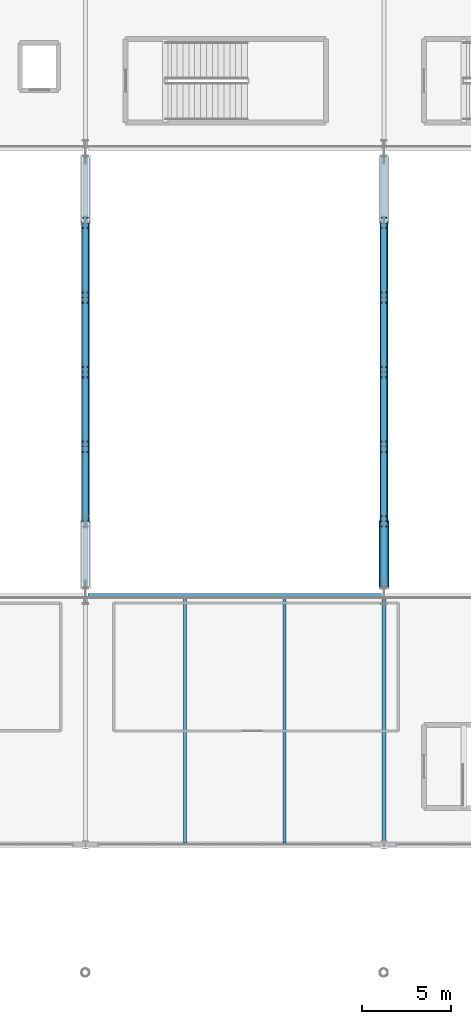
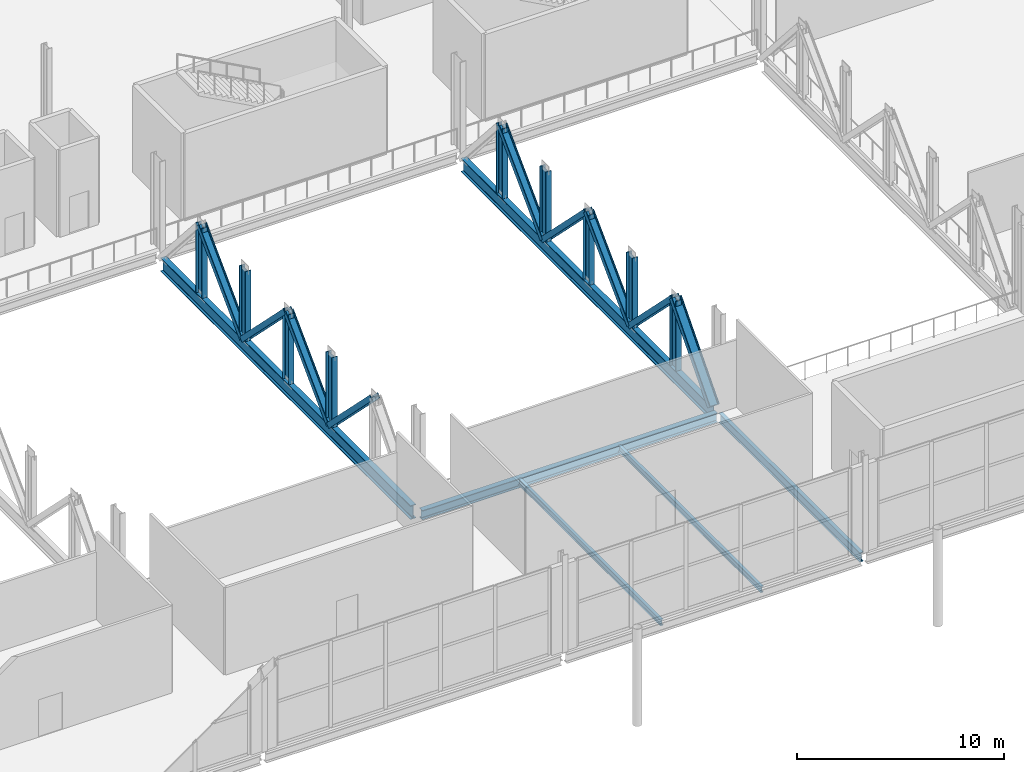
# One storey, part 25 of 84: 18 members, 6 beams.
"""IFC4 building model written with IfcOpenShell, lengths in metres."""

from ifc_helpers import new_model, si_unit, direction, frame, origin, origin_2d, place, context, subcontext, project, spatial, i_section, extrude, material, material_profile, profile_set, type_object, element, save


model = new_model("IFC4")

# Units and contexts
model_context = context("Model", 3, precision=1e-05, world=origin(), true_north=direction((0.0, 1.0)))
body_context = subcontext(model_context, "Body", "Model", "MODEL_VIEW")
ifc_project = project(units=[si_unit("LENGTHUNIT", "METRE"), si_unit("AREAUNIT", "SQUARE_METRE"), si_unit("VOLUMEUNIT", "CUBIC_METRE"), si_unit("PLANEANGLEUNIT", "RADIAN"), si_unit("MASSUNIT", "GRAM", prefix="KILO")], contexts=[model_context])

# Site, building, storey
site_placement = place(None, origin())
site = spatial("IfcSite", under=ifc_project, at=site_placement, CompositionType="ELEMENT")
building_placement = place(site_placement, origin())
building = spatial("IfcBuilding", under=site, at=building_placement, Name="Kimbaza Rail Terminus", CompositionType="ELEMENT")
storey_placement = place(building_placement, frame((0.0, 0.0, 5.39990234375)))
storey = spatial("IfcBuildingStorey", under=building, at=storey_placement, Name="L01", CompositionType="ELEMENT", Elevation=5.39990234375)

# Beams
ifc_material_1 = material(Name="Steel S355", Category="steel")
ifc_material_profile_1 = material_profile(ifc_material_1, i_section(OverallWidth=0.300048828125, OverallDepth=0.550048828125, WebThickness=0.014892578125, FlangeThickness=0.029052734375, FilletRadius=0.027099609375, at=origin_2d()), Name="HEB 550")
ifc_profile_set_1 = profile_set([ifc_material_profile_1], Name="Steel S355")
beam_type_1 = type_object("IfcBeamType", Name="STR-BM-HEB550", PredefinedType="BEAM", material=ifc_profile_set_1)
beam_1_placement = place(storey_placement, frame((122.5458984375, 55.0, -0.494873046875), z_axis=(1.0, 0.0, 0.0), x_axis=(0.0, 1.0, 0.0)))
element("IfcBeam", 1, at=beam_1_placement, inside=storey, type_object=beam_type_1, Name="Beam BM-V2X-L01-55-5", PredefinedType="BEAM", context=body_context, shape_type="SweptSolid", body=[
    extrude(i_section(OverallWidth=0.300048828125, OverallDepth=0.550048828125, WebThickness=0.014892578125, FlangeThickness=0.029052734375, FilletRadius=0.027099609375, at=origin_2d()), origin(), (0.0, 0.0, 1.0), 16.508056640625),
])
ifc_material_2 = material(Name="Steel S355", Category="steel")
ifc_material_profile_2 = material_profile(ifc_material_2, i_section(OverallWidth=0.302978515625, OverallDepth=0.81396484375, WebThickness=0.02099609375, FlangeThickness=0.0400390625, FilletRadius=0.030029296875, at=origin_2d()), Name="HEM 800")
ifc_profile_set_2 = profile_set([ifc_material_profile_2], Name="Steel S355")
beam_type_2 = type_object("IfcBeamType", Name="STR-BM-HEM800", PredefinedType="USERDEFINED", material=ifc_profile_set_2)
for number, where, z_axis, x_axis, name in (
    (2, (122.39990234375, 55.498046875, -0.626953125), (0.0, 1.0, 0.0), (-1.0, 0.0, 0.0), "Warren Transfer Truss WT-04 Bottom Chord"),
    (3, (139.199951171875, 55.498046875, -0.626953125), (0.0, 1.0, 0.0), (-1.0, 0.0, 0.0), "Warren Transfer Truss WT-05 Bottom Chord"),
):
    element("IfcBeam", number, at=place(storey_placement, frame(where, z_axis=z_axis, x_axis=x_axis)), inside=storey, type_object=beam_type_2, Name=name, ObjectType="GIRDER", PredefinedType="USERDEFINED", context=body_context, shape_type="SweptSolid", body=[
        extrude(i_section(OverallWidth=0.302978515625, OverallDepth=0.81396484375, WebThickness=0.02099609375, FlangeThickness=0.0400390625, FilletRadius=0.030029296875, at=origin_2d()), origin(), (0.0, 0.0, 1.0), 24.203857421875),
    ])
ifc_material_3 = material(Name="Steel S355", Category="steel")
ifc_material_profile_3 = material_profile(ifc_material_3, i_section(OverallWidth=0.169921875, OverallDepth=0.360107421875, WebThickness=0.008056640625, FlangeThickness=0.0126953125, FilletRadius=0.01806640625, at=origin_2d()), Name="IPE 360")
ifc_profile_set_3 = profile_set([ifc_material_profile_3], Name="Steel S355")
beam_type_3 = type_object("IfcBeamType", Name="STR-BM-IPE360", PredefinedType="JOIST", material=ifc_profile_set_3)
for number, where, z_axis, x_axis, name in (
    (4, (128.0, 41.10009765625, -0.39990234375), (0.0, 1.0, 0.0), (-1.0, 0.0, 0.0), "Beam JST-V2-L01-4-1-41"),
    (5, (133.60009765625, 41.10009765625, -0.39990234375), (0.0, 1.0, 0.0), (-1.0, 0.0, 0.0), "Beam JST-V2-L01-4-2-41"),
):
    element("IfcBeam", number, at=place(storey_placement, frame(where, z_axis=z_axis, x_axis=x_axis)), inside=storey, type_object=beam_type_3, Name=name, PredefinedType="JOIST", context=body_context, shape_type="SweptSolid", body=[
        extrude(i_section(OverallWidth=0.169921875, OverallDepth=0.360107421875, WebThickness=0.008056640625, FlangeThickness=0.0126953125, FilletRadius=0.01806640625, at=origin_2d()), origin(), (0.0, 0.0, 1.0), 13.7998046875),
    ])
ifc_material_4 = material(Name="Steel S355", Category="steel")
ifc_material_profile_4 = material_profile(ifc_material_4, i_section(OverallWidth=0.2099609375, OverallDepth=0.550048828125, WebThickness=0.010986328125, FlangeThickness=0.01708984375, FilletRadius=0.02392578125, at=origin_2d()), Name="IPE 550")
ifc_profile_set_4 = profile_set([ifc_material_profile_4], Name="Steel S355")
beam_type_4 = type_object("IfcBeamType", Name="STR-BM-IPE550", PredefinedType="BEAM", material=ifc_profile_set_4)
beam_2_placement = place(storey_placement, frame((139.199951171875, 41.175048828125, -0.494873046875), z_axis=(0.0, 1.0, 0.0), x_axis=(-1.0, 0.0, 0.0)))
element("IfcBeam", 6, at=beam_2_placement, inside=storey, type_object=beam_type_4, Name="Beam BM-V2Y-L01-5-41", PredefinedType="BEAM", context=body_context, shape_type="SweptSolid", body=[
    extrude(i_section(OverallWidth=0.2099609375, OverallDepth=0.550048828125, WebThickness=0.010986328125, FlangeThickness=0.01708984375, FilletRadius=0.02392578125, at=origin_2d()), origin(), (0.0, 0.0, 1.0), 13.64990234375),
])

# Members
ifc_material_5 = material(Name="Steel S355", Category="steel")
ifc_material_profile_5 = material_profile(ifc_material_5, i_section(OverallWidth=0.300048828125, OverallDepth=0.449951171875, WebThickness=0.013916015625, FlangeThickness=0.02587890625, FilletRadius=0.027099609375, at=origin_2d()), Name="HEB 450")
ifc_profile_set_5 = profile_set([ifc_material_profile_5], Name="Steel S355")
member_type_1 = type_object("IfcMemberType", Name="STR-MB-HEB450", PredefinedType="BRACE", material=ifc_profile_set_5)
member_1_placement = place(storey_placement, frame((122.39990234375, 59.199951171875, 3.955078125), z_axis=(0.0, 0.706942385545, -0.707271138616), x_axis=(0.0, 0.707271138616, 0.706942385545)))
element("IfcMember", 7, at=member_1_placement, inside=storey, type_object=member_type_1, Name="Warren Transfer Truss Diagonal WT-04-2", PredefinedType="BRACE", context=body_context, shape_type="SweptSolid", body=[
    extrude(i_section(OverallWidth=0.300048828125, OverallDepth=0.449951171875, WebThickness=0.013916015625, FlangeThickness=0.02587890625, FilletRadius=0.027099609375, at=origin_2d()), origin(), (0.0, 0.0, 1.0), 5.94091796875),
])
member_2_placement = place(storey_placement, frame((122.39990234375, 63.39990234375, -0.246826171875), z_axis=(0.0, 0.706962941269, 0.70725059185), x_axis=(0.0, -0.70725059185, 0.706962941269)))
element("IfcMember", 8, at=member_2_placement, inside=storey, type_object=member_type_1, Name="Warren Transfer Truss Diagonal WT-04-3", PredefinedType="BRACE", context=body_context, shape_type="SweptSolid", body=[
    extrude(i_section(OverallWidth=0.300048828125, OverallDepth=0.449951171875, WebThickness=0.013916015625, FlangeThickness=0.02587890625, FilletRadius=0.027099609375, at=origin_2d()), origin(), (0.0, 0.0, 1.0), 5.941162109375),
])
for number, where, z_axis, x_axis, name in (
    (9, (122.39990234375, 67.60009765625, 3.955078125), (0.0, 0.706942385545, -0.707271138616), (0.0, 0.707271138616, 0.706942385545), "Warren Transfer Truss Diagonal WT-04-4"),
    (10, (122.39990234375, 71.800048828125, -0.246826171875), (0.0, 0.706942385545, 0.707271138616), (0.0, -0.707271138616, 0.706942385545), "Warren Transfer Truss Diagonal WT-04-5"),
    (11, (139.199951171875, 59.199951171875, 3.955078125), (0.0, 0.706942385545, -0.707271138616), (0.0, 0.707271138616, 0.706942385545), "Warren Transfer Truss Diagonal WT-05-2"),
):
    element("IfcMember", number, at=place(storey_placement, frame(where, z_axis=z_axis, x_axis=x_axis)), inside=storey, type_object=member_type_1, Name=name, PredefinedType="BRACE", context=body_context, shape_type="SweptSolid", body=[
        extrude(i_section(OverallWidth=0.300048828125, OverallDepth=0.449951171875, WebThickness=0.013916015625, FlangeThickness=0.02587890625, FilletRadius=0.027099609375, at=origin_2d()), origin(), (0.0, 0.0, 1.0), 5.94091796875),
    ])
member_3_placement = place(storey_placement, frame((139.199951171875, 63.39990234375, -0.246826171875), z_axis=(0.0, 0.706962941269, 0.70725059185), x_axis=(0.0, -0.70725059185, 0.706962941269)))
element("IfcMember", 12, at=member_3_placement, inside=storey, type_object=member_type_1, Name="Warren Transfer Truss Diagonal WT-05-3", PredefinedType="BRACE", context=body_context, shape_type="SweptSolid", body=[
    extrude(i_section(OverallWidth=0.300048828125, OverallDepth=0.449951171875, WebThickness=0.013916015625, FlangeThickness=0.02587890625, FilletRadius=0.027099609375, at=origin_2d()), origin(), (0.0, 0.0, 1.0), 5.941162109375),
])
for number, where, z_axis, x_axis, name in (
    (13, (139.199951171875, 67.60009765625, 3.955078125), (0.0, 0.706942385545, -0.707271138616), (0.0, 0.707271138616, 0.706942385545), "Warren Transfer Truss Diagonal WT-05-4"),
    (14, (139.199951171875, 71.800048828125, -0.246826171875), (0.0, 0.706942385545, 0.707271138616), (0.0, -0.707271138616, 0.706942385545), "Warren Transfer Truss Diagonal WT-05-5"),
):
    element("IfcMember", number, at=place(storey_placement, frame(where, z_axis=z_axis, x_axis=x_axis)), inside=storey, type_object=member_type_1, Name=name, PredefinedType="BRACE", context=body_context, shape_type="SweptSolid", body=[
        extrude(i_section(OverallWidth=0.300048828125, OverallDepth=0.449951171875, WebThickness=0.013916015625, FlangeThickness=0.02587890625, FilletRadius=0.027099609375, at=origin_2d()), origin(), (0.0, 0.0, 1.0), 5.94091796875),
    ])
ifc_material_6 = material(Name="Steel S355", Category="steel")
ifc_material_profile_6 = material_profile(ifc_material_6, i_section(OverallWidth=0.300048828125, OverallDepth=0.550048828125, WebThickness=0.014892578125, FlangeThickness=0.029052734375, FilletRadius=0.027099609375, at=origin_2d()), Name="HEB 550")
ifc_profile_set_6 = profile_set([ifc_material_profile_6], Name="Steel S355")
member_type_2 = type_object("IfcMemberType", Name="STR-MB-HEB550", PredefinedType="BRACE", material=ifc_profile_set_6)
member_4_placement = place(storey_placement, frame((139.199951171875, 55.5, -0.246826171875), z_axis=(0.0, 0.660856906539, 0.750511924675), x_axis=(0.0, -0.750511924675, 0.660856906539)))
element("IfcMember", 15, at=member_4_placement, inside=storey, type_object=member_type_2, Name="Warren Transfer Truss Diagonal WT-05-1", PredefinedType="BRACE", context=body_context, shape_type="SweptSolid", body=[
    extrude(i_section(OverallWidth=0.300048828125, OverallDepth=0.550048828125, WebThickness=0.014892578125, FlangeThickness=0.029052734375, FilletRadius=0.027099609375, at=origin_2d()), origin(), (0.0, 0.0, 1.0), 5.5986328125),
])
ifc_material_7 = material(Name="Steel S355", Category="steel")
ifc_material_profile_7 = material_profile(ifc_material_7, i_section(OverallWidth=0.304931640625, OverallDepth=0.6201171875, WebThickness=0.02099609375, FlangeThickness=0.0400390625, FilletRadius=0.027099609375, at=origin_2d()), Name="HEM 600")
ifc_profile_set_7 = profile_set([ifc_material_profile_7], Name="Steel S355")
member_type_3 = type_object("IfcMemberType", Name="STR-MB-HEM600", PredefinedType="POST", material=ifc_profile_set_7)
for number, where, z_axis, x_axis, name in (
    (16, (122.39990234375, 63.39990234375, -0.226806640625), (0.0, 0.0, 1.0), (1.0, 0.0, 0.0), "Warren Truss WT-04 Vertical Post 2"),
    (17, (122.39990234375, 67.60009765625, -0.226806640625), (0.0, 0.0, 1.0), (1.0, 0.0, 0.0), "Warren Truss WT-04 Vertical Post 3"),
    (18, (122.39990234375, 71.800048828125, -0.226806640625), (0.0, 0.0, 1.0), (1.0, 0.0, 0.0), "Warren Truss WT-04 Vertical Post 4"),
    (19, (122.39990234375, 76.0, -0.226806640625), (0.0, 0.0, 1.0), (1.0, 0.0, 0.0), "Warren Truss WT-04 Vertical Post 5"),
    (20, (139.199951171875, 59.199951171875, -0.226806640625), (0.0, 0.0, 1.0), (1.0, 0.0, 0.0), "Warren Truss WT-05 Vertical Post 1"),
    (21, (139.199951171875, 63.39990234375, -0.226806640625), (0.0, 0.0, 1.0), (1.0, 0.0, 0.0), "Warren Truss WT-05 Vertical Post 2"),
    (22, (139.199951171875, 67.60009765625, -0.226806640625), (0.0, 0.0, 1.0), (1.0, 0.0, 0.0), "Warren Truss WT-05 Vertical Post 3"),
    (23, (139.199951171875, 71.800048828125, -0.226806640625), (0.0, 0.0, 1.0), (1.0, 0.0, 0.0), "Warren Truss WT-05 Vertical Post 4"),
    (24, (139.199951171875, 76.0, -0.226806640625), (0.0, 0.0, 1.0), (1.0, 0.0, 0.0), "Warren Truss WT-05 Vertical Post 5"),
):
    element("IfcMember", number, at=place(storey_placement, frame(where, z_axis=z_axis, x_axis=x_axis)), inside=storey, type_object=member_type_3, Name=name, PredefinedType="POST", context=body_context, shape_type="SweptSolid", body=[
        extrude(i_section(OverallWidth=0.304931640625, OverallDepth=0.6201171875, WebThickness=0.02099609375, FlangeThickness=0.0400390625, FilletRadius=0.027099609375, at=origin_2d()), origin(), (0.0, 0.0, 1.0), 4.15185546875),
    ])

save(model, "model.ifc")
